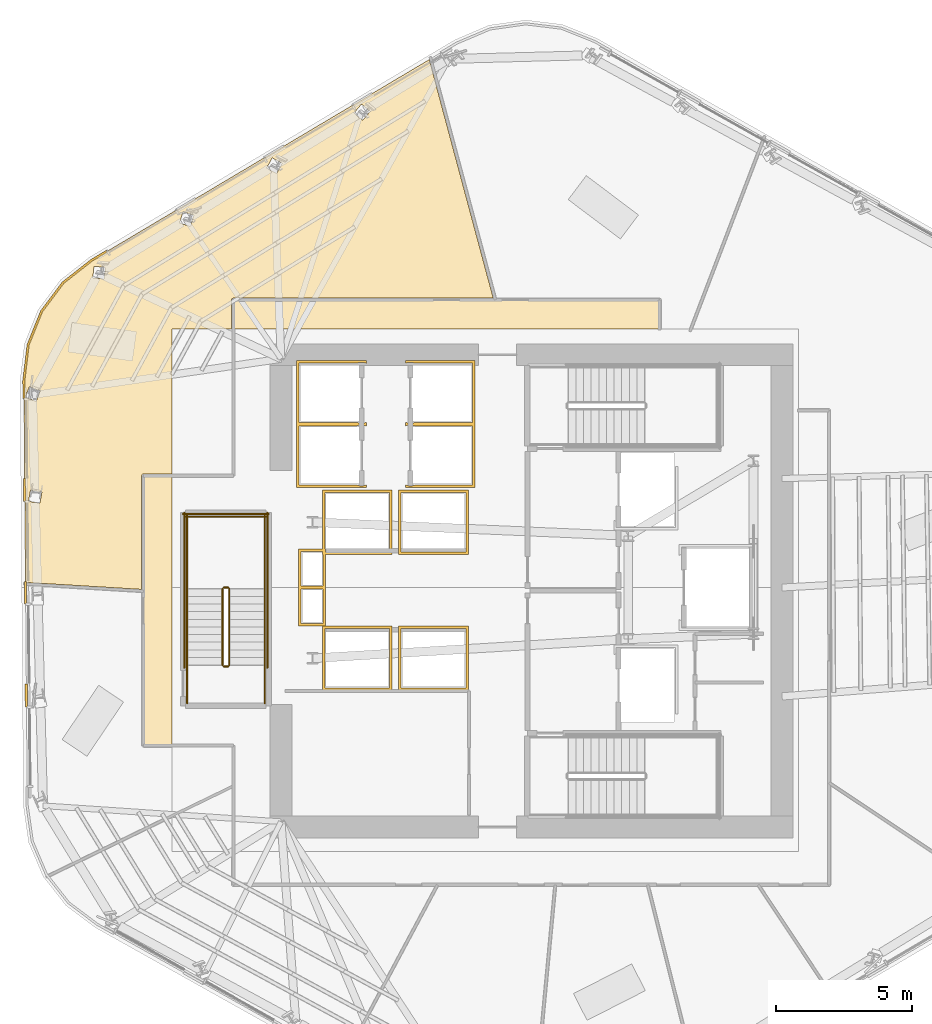
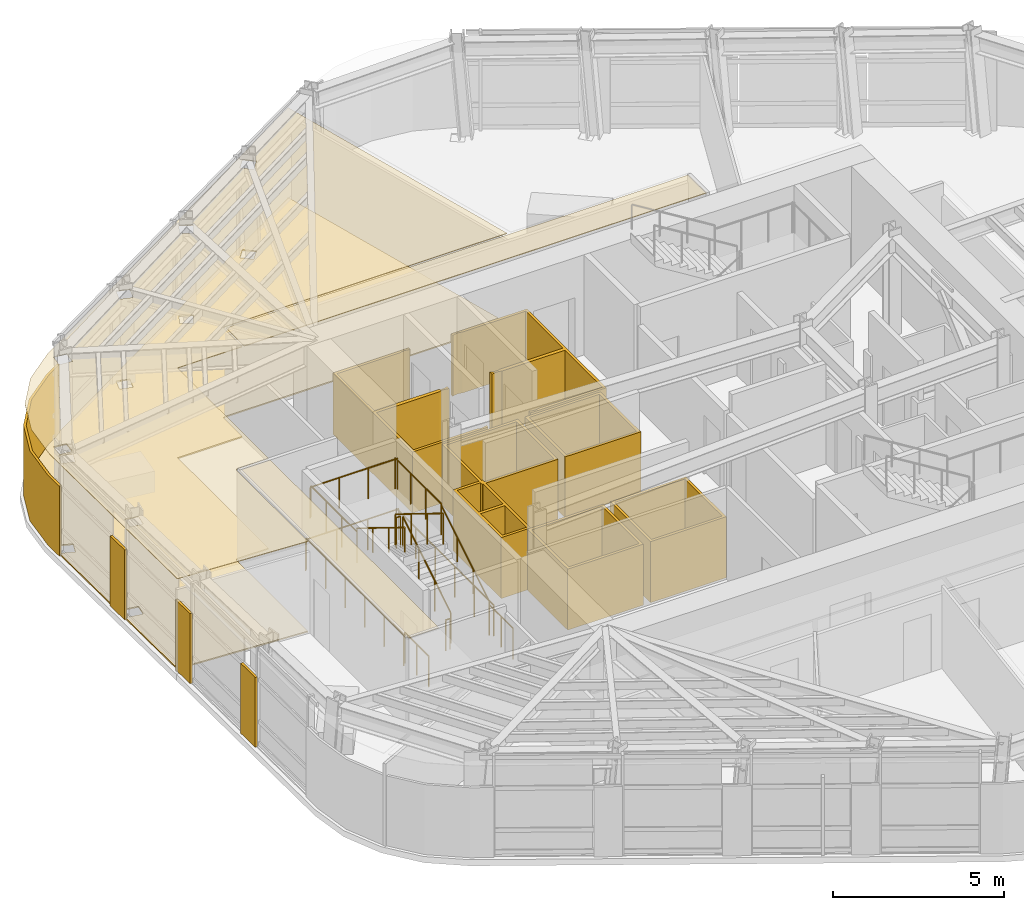
# One storey, part 12 of 16: 14 coverings, 14 railings.
"""IFC4 building model written with IfcOpenShell, lengths in metres."""

import ifcopenshell
import ifcopenshell.guid

model = None  # the IFC model being written
_history = None  # IfcOwnerHistory: only IFC2X3 demands one
_inside = {}  # id of a spatial element -> (the spatial element, [elements in it])
_under = {}  # id of a project, library or spatial element -> (it, [spatial elements below it])
_declared = {}  # id of a project -> (the project, [libraries it declares])
_typed = {}  # id of a type object -> (the type object, [elements of that type])
_made_of = {}  # id of a material, layer set ... -> (it, [elements and type objects made of it])


def new_model(schema):
    """Start an empty IFC model of exactly this schema.

    Asked for "IFC4X3", IfcOpenShell would pick the latest addendum, in which some entities
    have other attributes; the version numbers below select the first issue.
    IFC2X3 requires an IfcOwnerHistory on every rooted entity: one is made here for all.
    """
    global model, _history
    if schema == "IFC4X3":
        model = ifcopenshell.file(schema_version=(4, 3, 0, 0))
    else:
        model = ifcopenshell.file(schema=schema)
    _inside.clear()
    _under.clear()
    _declared.clear()
    _typed.clear()
    _made_of.clear()
    _history = None
    if model.schema == "IFC2X3":
        org = make("IfcOrganization", Name="unknown")
        user = make(
            "IfcPersonAndOrganization",
            ThePerson=make("IfcPerson", FamilyName="unknown"),
            TheOrganization=org,
        )
        app = make(
            "IfcApplication",
            ApplicationDeveloper=org,
            Version="unknown",
            ApplicationFullName="unknown",
            ApplicationIdentifier="unknown",
        )
        _history = make(
            "IfcOwnerHistory",
            OwningUser=user,
            OwningApplication=app,
            ChangeAction="ADDED",
            CreationDate=0,
        )
    return model


def make(cls, **values):
    """One entity of the class cls with the attributes given. An attribute that is None is left unset."""
    return model.create_entity(
        cls, **{name: value for name, value in values.items() if value is not None}
    )


def rooted(cls, **values):
    """An entity with a GlobalId (a new one), such as an element, a storey or a relation."""
    return make(cls, GlobalId=ifcopenshell.guid.new(), OwnerHistory=_history, **values)


def si_unit(unit_type, name, prefix=None):
    """IfcSIUnit, for example si_unit("LENGTHUNIT", "METRE", prefix="MILLI")."""
    return make("IfcSIUnit", UnitType=unit_type, Prefix=prefix, Name=name)


def assignment(units):
    """IfcUnitAssignment: the units of a project."""
    return None if units is None else make("IfcUnitAssignment", Units=units)


def point(xyz):
    """IfcCartesianPoint."""
    return None if xyz is None else make("IfcCartesianPoint", Coordinates=xyz)


def direction(xyz):
    """IfcDirection."""
    return None if xyz is None else make("IfcDirection", DirectionRatios=xyz)


def frame(location, z_axis=None, x_axis=None):
    """IfcAxis2Placement3D, a coordinate frame: its origin and axes. An axis left out is left unset."""
    return make(
        "IfcAxis2Placement3D",
        Location=point(location),
        Axis=direction(z_axis),
        RefDirection=direction(x_axis),
    )


def frame_2d(location, x_axis=None):
    """IfcAxis2Placement2D, a coordinate frame in the plane: its origin and x axis."""
    return make(
        "IfcAxis2Placement2D", Location=point(location), RefDirection=direction(x_axis)
    )


def origin():
    """The frame at (0, 0, 0) with its axes left unset."""
    return frame((0.0, 0.0, 0.0))


def origin_2d():
    """The frame at (0, 0) in the plane with its x axis left unset."""
    return frame_2d((0.0, 0.0))


def place(relative_to, where):
    """IfcLocalPlacement: puts the frame where relative to a parent placement (None: the world)."""
    return make(
        "IfcLocalPlacement", PlacementRelTo=relative_to, RelativePlacement=where
    )


def context(
    kind, dimensions, precision=None, world=None, true_north=None, identifier=None
):
    """IfcGeometricRepresentationContext, for example the 3D "Model" context."""
    return make(
        "IfcGeometricRepresentationContext",
        ContextIdentifier=identifier,
        ContextType=kind,
        CoordinateSpaceDimension=dimensions,
        Precision=precision,
        WorldCoordinateSystem=world,
        TrueNorth=true_north,
    )


def subcontext(parent, identifier, kind, view, scale=None):
    """IfcGeometricRepresentationSubContext, for example "Body" below "Model"."""
    return make(
        "IfcGeometricRepresentationSubContext",
        ContextIdentifier=identifier,
        ContextType=kind,
        ParentContext=parent,
        TargetScale=scale,
        TargetView=view,
    )


def project(units=None, contexts=None):
    """IfcProject with its units and contexts."""
    return rooted(
        "IfcProject",
        Name="project",
        RepresentationContexts=contexts,
        UnitsInContext=assignment(units),
    )


def spatial(cls, under=None, at=None, **own):
    """A site, building, storey or space (cls), placed at a placement, below another one or the project."""
    s = rooted(cls, ObjectPlacement=at, **own)
    if under is not None:
        _under.setdefault(under.id(), (under, []))[1].append(s)
    return s


def polyline(points):
    """IfcPolyline through the points."""
    return make("IfcPolyline", Points=[point(p) for p in points])


def profile(cls, at=None, kind="AREA", **sizes):
    """A parametric profile (cls). Its sizes go by their IFC names, for example OverallWidth=200.0."""
    return make(cls, ProfileType=kind, Position=at, **sizes)


def circle(**sizes):
    """IfcCircleProfileDef."""
    return profile("IfcCircleProfileDef", **sizes)


def outline(outer, holes=None, kind="AREA"):
    """IfcArbitraryClosedProfileDef: a profile drawn as a closed curve; with holes, ...WithVoids."""
    if holes is None:
        return make("IfcArbitraryClosedProfileDef", ProfileType=kind, OuterCurve=outer)
    return make(
        "IfcArbitraryProfileDefWithVoids",
        ProfileType=kind,
        OuterCurve=outer,
        InnerCurves=holes,
    )


def extrude(swept, where, along, depth):
    """IfcExtrudedAreaSolid: the profile swept, set in the frame where, extruded along a direction by depth."""
    return make(
        "IfcExtrudedAreaSolid",
        SweptArea=swept,
        Position=where,
        ExtrudedDirection=direction(along),
        Depth=depth,
    )


def shape(context_of_items, identifier, shape_type, items):
    """IfcShapeRepresentation: the items that make up one representation, for example the "Body"."""
    return make(
        "IfcShapeRepresentation",
        ContextOfItems=context_of_items,
        RepresentationIdentifier=identifier,
        RepresentationType=shape_type,
        Items=items,
    )


def material(Name=None, Category=None):
    """IfcMaterial."""
    return make("IfcMaterial", Name=Name, Category=Category)


def layer(
    of_material, thickness, ventilated=None, Name=None, Category=None, Priority=None
):
    """IfcMaterialLayer: one layer of a wall or slab, of a material (None: an air gap)."""
    return make(
        "IfcMaterialLayer",
        Material=of_material,
        LayerThickness=thickness,
        IsVentilated=ventilated,
        Name=Name,
        Category=Category,
        Priority=Priority,
    )


def layer_set(layers, Name=None):
    """IfcMaterialLayerSet."""
    return make("IfcMaterialLayerSet", MaterialLayers=layers, LayerSetName=Name)


def made_of(thing, what):
    """Note that an element or type object is made of a material, layer set ...; save() writes the relation."""
    if what is not None:
        _made_of.setdefault(what.id(), (what, []))[1].append(thing)
    return thing


def type_object(cls, material=None, **own):
    """A type object (cls), such as IfcWallType, which elements share."""
    return made_of(rooted(cls, **own), material)


def element(
    cls,
    number,
    at=None,
    inside=None,
    cuts=None,
    type_object=None,
    material=None,
    context=None,
    identifier="Body",
    shape_type=None,
    held_by="IfcProductDefinitionShape",
    body=None,
    shapes=None,
    **own,
):
    """One element of the class cls, such as IfcWall. Its Tag is "e" and its number.

    at: its placement. inside: the storey or other place that contains it. cuts: it is an
    opening in that element (IfcRelVoidsElement). A single representation is given by context,
    identifier, shape_type and body (its items); several are given by shapes. held_by: the class
    of the entity that holds the representations. save() writes the other relations.
    """
    e = rooted(cls, Tag="e%d" % number, ObjectPlacement=at, **own)
    if body is not None:
        shapes = [shape(context, identifier, shape_type, body)]
    if shapes is not None:
        e.Representation = make(held_by, Representations=shapes)
    if inside is not None:
        _inside.setdefault(inside.id(), (inside, []))[1].append(e)
    if cuts is not None:
        rooted(
            "IfcRelVoidsElement", RelatingBuildingElement=cuts, RelatedOpeningElement=e
        )
    if type_object is not None:
        _typed.setdefault(type_object.id(), (type_object, []))[1].append(e)
    return made_of(e, material)


def aggregate(whole, parts):
    """IfcRelAggregates: a whole, such as a stair, and the parts it consists of."""
    return rooted("IfcRelAggregates", RelatingObject=whole, RelatedObjects=parts)


def save(model, path):
    """Write the relations noted so far, then the file.

    IfcRelAggregates (storeys below a building ...), IfcRelContainedInSpatialStructure (elements
    in a storey), IfcRelDefinesByType, IfcRelAssociatesMaterial and IfcRelDeclares: one each for
    every whole, place, type object, material and project.
    """
    for whole, parts in _under.values():
        aggregate(whole, parts)
    for where, things in _inside.values():
        rooted(
            "IfcRelContainedInSpatialStructure",
            RelatedElements=things,
            RelatingStructure=where,
        )
    for kind, things in _typed.values():
        rooted("IfcRelDefinesByType", RelatedObjects=things, RelatingType=kind)
    for what, things in _made_of.values():
        rooted("IfcRelAssociatesMaterial", RelatedObjects=things, RelatingMaterial=what)
    for by, libraries in _declared.values():
        rooted("IfcRelDeclares", RelatingContext=by, RelatedDefinitions=libraries)
    model.write(path)


model = new_model("IFC4")

# Units and contexts
model_context = context("Model", 3, precision=1e-05, world=origin(), true_north=direction((0.0, 1.0)))
body_context = subcontext(model_context, "Body", "Model", "MODEL_VIEW")
ifc_project = project(units=[si_unit("LENGTHUNIT", "METRE"), si_unit("AREAUNIT", "SQUARE_METRE"), si_unit("VOLUMEUNIT", "CUBIC_METRE"), si_unit("PLANEANGLEUNIT", "RADIAN"), si_unit("MASSUNIT", "GRAM", prefix="KILO")], contexts=[model_context])

# Site, building, storey
site_placement = place(None, origin())
site = spatial("IfcSite", under=ifc_project, at=site_placement, CompositionType="ELEMENT")
building_placement = place(site_placement, origin())
building = spatial("IfcBuilding", under=site, at=building_placement, Name="Valkerne Bourse Tower", CompositionType="ELEMENT")
storey_placement = place(building_placement, frame((0.0, 0.0, 155.199951171875)))
storey = spatial("IfcBuildingStorey", under=building, at=storey_placement, Name="L39", CompositionType="ELEMENT", Elevation=155.199951171875)

# Coverings
ifc_material_1 = material(Name="Mineral Fiber Acoustic Ceiling Tile", Category="acoustic")
ifc_layer_1 = layer(ifc_material_1, 0.02490234375)
ifc_layer_set_1 = layer_set([ifc_layer_1], Name="Mineral Fiber Acoustic Ceiling Tile")
covering_type_1 = type_object("IfcCoveringType", Name="COV-CEIL-ACT", PredefinedType="CEILING", material=ifc_layer_set_1)
covering_1_placement = place(storey_placement, frame((0.0, 0.0, 3.22998046875)))
element("IfcCovering", 1, at=covering_1_placement, inside=storey, type_object=covering_type_1, Name="L39 Suspended Ceiling 11", PredefinedType="CEILING", context=body_context, shape_type="SweptSolid", body=[
    extrude(outline(polyline([(28.80908203125, 37.13720703125), (29.6015625, 38.192626953125), (30.6474609375, 39.0126953125), (43.04296875, 46.38671875), (45.392333984375, 37.62890625), (35.849365234375, 37.62890625), (35.80419921875, 37.61181640625), (35.787353515625, 37.589111328125), (35.781005859375, 37.560302734375), (35.781005859375, 36.5), (33.60009765625, 36.5), (33.60009765625, 31.1689453125), (32.549560546875, 31.1689453125), (32.52001953125, 31.162109375), (32.49462890625, 31.1416015625), (32.48095703125, 31.1005859375), (32.48095703125, 26.9296875), (28.215576171875, 27.1865234375), (28.1572265625, 34.593505859375), (28.31689453125, 35.9130859375), (28.80908203125, 37.13720703125)]), holes=[polyline([(28.7451171875, 30.096923828125), (28.817626953125, 30.50390625), (28.399658203125, 30.578125), (28.399169921875, 30.57568359375), (28.32666015625, 30.168701171875), (28.74462890625, 30.094482421875), (28.7451171875, 30.096923828125)]), polyline([(28.754638671875, 34.224609375), (28.35791015625, 34.376220703125), (28.35693359375, 34.37353515625), (28.20947265625, 33.98779296875), (28.606201171875, 33.836181640625), (28.607177734375, 33.8388671875), (28.754638671875, 34.224609375)]), polyline([(31.143798828125, 38.755859375), (30.73193359375, 38.798095703125), (30.730224609375, 38.795654296875), (30.6884765625, 38.374267578125), (31.100341796875, 38.33203125), (31.10205078125, 38.33447265625), (31.143798828125, 38.755859375)]), polyline([(34.3955078125, 40.672607421875), (33.998779296875, 40.79150390625), (33.996826171875, 40.78955078125), (33.876220703125, 40.38330078125), (34.27294921875, 40.264404296875), (34.27490234375, 40.266357421875), (34.3955078125, 40.672607421875)]), polyline([(37.4384765625, 42.20654296875), (37.63916015625, 42.57958984375), (37.27490234375, 42.776611328125), (37.272705078125, 42.775390625), (37.072021484375, 42.402099609375), (37.436279296875, 42.205078125), (37.4384765625, 42.20654296875)]), polyline([(40.5986328125, 44.15869140625), (40.87109375, 44.483154296875), (40.5546875, 44.750244140625), (40.552001953125, 44.749267578125), (40.279541015625, 44.4248046875), (40.595947265625, 44.15771484375), (40.5986328125, 44.15869140625)])]), origin(), (0.0, 0.0, 1.0), 0.025146484375),
])
ifc_material_2 = material(Name="Bronze Anodised Aluminium AA 6063-T6", Category="aluminium")
ifc_layer_2 = layer(ifc_material_2, 0.030029296875)
ifc_layer_set_2 = layer_set([ifc_layer_2], Name="Bronze Anodised Aluminium AA 6063-T6")
covering_type_2 = type_object("IfcCoveringType", Name="COV-CEIL-METAL", PredefinedType="CEILING", material=ifc_layer_set_2)
covering_2_placement = place(storey_placement, frame((0.0, 0.0, 3.22998046875)))
element("IfcCovering", 2, at=covering_2_placement, inside=storey, type_object=covering_type_2, Name="L39 Suspended Ceiling 02", PredefinedType="CEILING", context=body_context, shape_type="SweptSolid", body=[
    extrude(outline(polyline([(32.553955078125, 21.2041015625), (32.553955078125, 31.095947265625), (33.60009765625, 31.095947265625), (33.60009765625, 21.2041015625), (32.553955078125, 21.2041015625)])), origin(), (0.0, 0.0, 1.0), 0.025146484375),
])
covering_3_placement = place(storey_placement, frame((0.0, 0.0, 3.22998046875)))
element("IfcCovering", 3, at=covering_3_placement, inside=storey, type_object=covering_type_2, Name="L39 Suspended Ceiling 03", PredefinedType="CEILING", context=body_context, shape_type="SweptSolid", body=[
    extrude(outline(polyline([(35.85400390625, 37.555908203125), (51.49609375, 37.555908203125), (51.49609375, 36.5), (35.85400390625, 36.5), (35.85400390625, 37.555908203125)])), origin(), (0.0, 0.0, 1.0), 0.025146484375),
])
ifc_layer_3 = layer(ifc_material_2, 0.06005859375)
ifc_layer_set_3 = layer_set([ifc_layer_3], Name="Bronze Anodised Aluminium AA 6063-T6")
covering_type_3 = type_object("IfcCoveringType", Name="COV-CRN-ALUM", PredefinedType="CLADDING", material=ifc_layer_set_3)
covering_4_placement = place(storey_placement, origin())
element("IfcCovering", 4, at=covering_4_placement, inside=storey, type_object=covering_type_3, Name="L39 Wind-Shaped Corner Aluminium Cladding 10", PredefinedType="CLADDING", context=body_context, shape_type="SweptSolid", body=[
    extrude(outline(polyline([(28.201171875, 23.4541015625), (28.281005859375, 23.454833984375), (28.28759765625, 22.614990234375), (28.207763671875, 22.614013671875), (28.201171875, 23.4541015625)])), origin(), (0.0, 0.0, 1.0), 2.5),
])
covering_5_placement = place(storey_placement, origin())
element("IfcCovering", 5, at=covering_5_placement, inside=storey, type_object=covering_type_3, Name="L39 Wind-Shaped Corner Aluminium Cladding 11", PredefinedType="CLADDING", context=body_context, shape_type="SweptSolid", body=[
    extrude(outline(polyline([(28.17138671875, 27.224853515625), (28.251220703125, 27.2255859375), (28.258056640625, 26.3857421875), (28.177978515625, 26.385009765625), (28.17138671875, 27.224853515625)])), origin(), (0.0, 0.0, 1.0), 2.5),
])
covering_6_placement = place(storey_placement, origin())
element("IfcCovering", 6, at=covering_6_placement, inside=storey, type_object=covering_type_3, Name="L39 Wind-Shaped Corner Aluminium Cladding 12", PredefinedType="CLADDING", context=body_context, shape_type="SweptSolid", body=[
    extrude(outline(polyline([(28.1416015625, 30.995849609375), (28.2216796875, 30.99658203125), (28.228271484375, 30.15673828125), (28.148193359375, 30.156005859375), (28.1416015625, 30.995849609375)])), origin(), (0.0, 0.0, 1.0), 2.5),
])
covering_7_placement = place(storey_placement, origin())
element("IfcCovering", 7, at=covering_7_placement, inside=storey, type_object=covering_type_3, Name="L39 Wind-Shaped Corner Aluminium Cladding 13", PredefinedType="CLADDING", context=body_context, shape_type="SweptSolid", body=[
    extrude(outline(polyline([(28.11328125, 34.595947265625), (28.27392578125, 35.924072265625), (28.7705078125, 37.1591796875), (29.56982421875, 38.2236328125), (30.62255859375, 39.049072265625), (31.197509765625, 39.39111328125), (31.23828125, 39.322509765625), (30.66796875, 38.98291015625), (29.62744140625, 38.167236328125), (28.8408203125, 37.119384765625), (28.35205078125, 35.90380859375), (28.193359375, 34.59130859375), (28.198486328125, 33.927490234375), (28.118408203125, 33.9267578125), (28.11328125, 34.595947265625)])), origin(), (0.0, 0.0, 1.0), 2.5),
])
ifc_material_3 = material(Name="Galvanised Painted Steel", Category="steel")
ifc_layer_4 = layer(ifc_material_3, 0.044921875)
ifc_layer_set_4 = layer_set([ifc_layer_4], Name="Galvanised Painted Steel")
covering_type_4 = type_object("IfcCoveringType", Name="COV-FLR-RAF", PredefinedType="FLOORING", material=ifc_layer_set_4)
covering_8_placement = place(storey_placement, origin())
element("IfcCovering", 8, at=covering_8_placement, inside=storey, type_object=covering_type_4, Name="L39 Floor Finish 11", PredefinedType="FLOORING", context=body_context, shape_type="SweptSolid", body=[
    extrude(outline(polyline([(28.80908203125, 37.13720703125), (29.6015625, 38.192626953125), (30.6474609375, 39.0126953125), (43.04296875, 46.38671875), (45.392333984375, 37.62890625), (35.849365234375, 37.62890625), (35.80419921875, 37.61181640625), (35.787353515625, 37.589111328125), (35.781005859375, 37.560302734375), (35.781005859375, 36.5), (33.60009765625, 36.5), (33.60009765625, 31.1689453125), (32.549560546875, 31.1689453125), (32.52001953125, 31.162109375), (32.49462890625, 31.1416015625), (32.48095703125, 31.1005859375), (32.48095703125, 26.9296875), (28.215576171875, 27.1865234375), (28.1572265625, 34.593505859375), (28.31689453125, 35.9130859375), (28.80908203125, 37.13720703125)]), holes=[polyline([(28.7451171875, 30.096923828125), (28.817626953125, 30.50390625), (28.399658203125, 30.578125), (28.399169921875, 30.57568359375), (28.32666015625, 30.168701171875), (28.74462890625, 30.094482421875), (28.7451171875, 30.096923828125)]), polyline([(28.754638671875, 34.224609375), (28.35791015625, 34.376220703125), (28.35693359375, 34.37353515625), (28.20947265625, 33.98779296875), (28.606201171875, 33.836181640625), (28.607177734375, 33.8388671875), (28.754638671875, 34.224609375)]), polyline([(31.143798828125, 38.755859375), (30.73193359375, 38.798095703125), (30.730224609375, 38.795654296875), (30.6884765625, 38.374267578125), (31.100341796875, 38.33203125), (31.10205078125, 38.33447265625), (31.143798828125, 38.755859375)]), polyline([(34.3955078125, 40.672607421875), (33.998779296875, 40.79150390625), (33.996826171875, 40.78955078125), (33.876220703125, 40.38330078125), (34.27294921875, 40.264404296875), (34.27490234375, 40.266357421875), (34.3955078125, 40.672607421875)]), polyline([(37.4384765625, 42.20654296875), (37.63916015625, 42.57958984375), (37.27490234375, 42.776611328125), (37.272705078125, 42.775390625), (37.072021484375, 42.402099609375), (37.436279296875, 42.205078125), (37.4384765625, 42.20654296875)]), polyline([(40.5986328125, 44.15869140625), (40.87109375, 44.483154296875), (40.5546875, 44.750244140625), (40.552001953125, 44.749267578125), (40.279541015625, 44.4248046875), (40.595947265625, 44.15771484375), (40.5986328125, 44.15869140625)])]), origin(), (0.0, 0.0, 1.0), 0.045166015625),
])
ifc_material_4 = material(Name="Gypsum Shaftwall Liner Board", Category="gypsum")
ifc_layer_5 = layer(ifc_material_4, 0.080078125)
ifc_layer_set_5 = layer_set([ifc_layer_5], Name="Gypsum Shaftwall Liner Board")
covering_type_5 = type_object("IfcCoveringType", Name="COV-SHF-CLAD", PredefinedType="CLADDING", material=ifc_layer_set_5)
covering_9_placement = place(storey_placement, origin())
element("IfcCovering", 9, at=covering_9_placement, inside=storey, type_object=covering_type_5, Name="L39 Hoistway & Riser Shaftwall Liner 01", PredefinedType="CLADDING", context=body_context, shape_type="SweptSolid", body=[
    extrude(outline(polyline([(41.679931640625, 25.580078125), (41.679931640625, 23.219970703125), (39.1201171875, 23.219970703125), (39.1201171875, 25.580078125), (41.679931640625, 25.580078125)]), holes=[polyline([(41.590087890625, 25.489990234375), (39.2099609375, 25.489990234375), (39.2099609375, 23.31005859375), (41.590087890625, 23.31005859375), (41.590087890625, 25.489990234375)])]), origin(), (0.0, 0.0, 1.0), 2.179931640625),
])
covering_10_placement = place(storey_placement, origin())
element("IfcCovering", 10, at=covering_10_placement, inside=storey, type_object=covering_type_5, Name="L39 Hoistway & Riser Shaftwall Liner 02", PredefinedType="CLADDING", context=body_context, shape_type="SweptSolid", body=[
    extrude(outline(polyline([(44.47998046875, 23.219970703125), (41.919921875, 23.219970703125), (41.919921875, 25.580078125), (44.47998046875, 25.580078125), (44.47998046875, 23.219970703125)]), holes=[polyline([(42.010009765625, 25.489990234375), (42.010009765625, 23.31005859375), (44.389892578125, 23.31005859375), (44.389892578125, 25.489990234375), (42.010009765625, 25.489990234375)])]), origin(), (0.0, 0.0, 1.0), 2.179931640625),
])
covering_11_placement = place(storey_placement, origin())
element("IfcCovering", 11, at=covering_11_placement, inside=storey, type_object=covering_type_5, Name="L39 Hoistway & Riser Shaftwall Liner 03", PredefinedType="CLADDING", context=body_context, shape_type="SweptSolid", body=[
    extrude(outline(polyline([(38.239990234375, 28.409912109375), (39.1201171875, 28.409912109375), (39.1201171875, 30.580078125), (41.679931640625, 30.580078125), (41.679931640625, 28.219970703125), (39.239990234375, 28.219970703125), (39.239990234375, 27.0400390625), (39.239990234375, 26.9599609375), (39.239990234375, 25.590087890625), (38.239990234375, 25.590087890625), (38.239990234375, 26.9599609375), (38.239990234375, 27.0400390625), (38.239990234375, 28.409912109375)]), holes=[polyline([(38.330078125, 26.949951171875), (38.330078125, 25.679931640625), (39.14990234375, 25.679931640625), (39.14990234375, 26.949951171875), (38.330078125, 26.949951171875)]), polyline([(39.2099609375, 30.489990234375), (39.2099609375, 28.409912109375), (39.239990234375, 28.409912109375), (39.239990234375, 28.31005859375), (41.590087890625, 28.31005859375), (41.590087890625, 30.489990234375), (39.2099609375, 30.489990234375)]), polyline([(38.330078125, 27.050048828125), (39.14990234375, 27.050048828125), (39.14990234375, 28.219970703125), (39.1201171875, 28.219970703125), (39.1201171875, 28.320068359375), (38.330078125, 28.320068359375), (38.330078125, 27.050048828125)])]), origin(), (0.0, 0.0, 1.0), 2.179931640625),
])
covering_12_placement = place(storey_placement, origin())
element("IfcCovering", 12, at=covering_12_placement, inside=storey, type_object=covering_type_5, Name="L39 Hoistway & Riser Shaftwall Liner 04", PredefinedType="CLADDING", context=body_context, shape_type="SweptSolid", body=[
    extrude(outline(polyline([(38.169921875, 35.330078125), (40.72998046875, 35.330078125), (40.72998046875, 35.232177734375), (40.72216796875, 35.235595703125), (40.6806640625, 35.25048828125), (40.6376953125, 35.261474609375), (40.593994140625, 35.267822265625), (40.550048828125, 35.27001953125), (40.505859375, 35.267822265625), (40.462158203125, 35.261474609375), (40.41943359375, 35.25048828125), (40.3896484375, 35.239990234375), (38.260009765625, 35.239990234375), (38.260009765625, 33.06005859375), (40.3896484375, 33.06005859375), (40.41943359375, 33.04931640625), (40.462158203125, 33.03857421875), (40.505859375, 33.0322265625), (40.550048828125, 33.030029296875), (40.593994140625, 33.0322265625), (40.6376953125, 33.03857421875), (40.6806640625, 33.04931640625), (40.72216796875, 33.064208984375), (40.72998046875, 33.06787109375), (40.72998046875, 33.030029296875), (40.72998046875, 32.969970703125), (40.72998046875, 32.93212890625), (40.72216796875, 32.935791015625), (40.6806640625, 32.95068359375), (40.6376953125, 32.96142578125), (40.593994140625, 32.9677734375), (40.550048828125, 32.969970703125), (40.505859375, 32.9677734375), (40.462158203125, 32.96142578125), (40.41943359375, 32.95068359375), (40.3896484375, 32.93994140625), (38.260009765625, 32.93994140625), (38.260009765625, 30.760009765625), (40.3896484375, 30.760009765625), (40.41943359375, 30.74951171875), (40.462158203125, 30.738525390625), (40.505859375, 30.732177734375), (40.550048828125, 30.72998046875), (40.593994140625, 30.732177734375), (40.6376953125, 30.738525390625), (40.6806640625, 30.74951171875), (40.72216796875, 30.764404296875), (40.72998046875, 30.767822265625), (40.72998046875, 30.669921875), (38.169921875, 30.669921875), (38.169921875, 32.969970703125), (38.169921875, 33.030029296875), (38.169921875, 35.330078125)])), origin(), (0.0, 0.0, 1.0), 2.179931640625),
])
covering_13_placement = place(storey_placement, origin())
element("IfcCovering", 13, at=covering_13_placement, inside=storey, type_object=covering_type_5, Name="L39 Hoistway & Riser Shaftwall Liner 07", PredefinedType="CLADDING", context=body_context, shape_type="SweptSolid", body=[
    extrude(outline(polyline([(44.47998046875, 28.219970703125), (41.919921875, 28.219970703125), (41.919921875, 30.580078125), (44.47998046875, 30.580078125), (44.47998046875, 28.219970703125)]), holes=[polyline([(42.010009765625, 30.489990234375), (42.010009765625, 28.31005859375), (44.389892578125, 28.31005859375), (44.389892578125, 30.489990234375), (42.010009765625, 30.489990234375)])]), origin(), (0.0, 0.0, 1.0), 2.179931640625),
])
covering_14_placement = place(storey_placement, origin())
element("IfcCovering", 14, at=covering_14_placement, inside=storey, type_object=covering_type_5, Name="L39 Hoistway & Riser Shaftwall Liner 09", PredefinedType="CLADDING", context=body_context, shape_type="SweptSolid", body=[
    extrude(outline(polyline([(42.169921875, 33.06787109375), (42.177734375, 33.064208984375), (42.219482421875, 33.04931640625), (42.26220703125, 33.03857421875), (42.305908203125, 33.0322265625), (42.35009765625, 33.030029296875), (42.39404296875, 33.0322265625), (42.437744140625, 33.03857421875), (42.480712890625, 33.04931640625), (42.51025390625, 33.06005859375), (44.639892578125, 33.06005859375), (44.639892578125, 35.239990234375), (42.51025390625, 35.239990234375), (42.480712890625, 35.25048828125), (42.437744140625, 35.261474609375), (42.39404296875, 35.267822265625), (42.35009765625, 35.27001953125), (42.305908203125, 35.267822265625), (42.26220703125, 35.261474609375), (42.219482421875, 35.25048828125), (42.177734375, 35.235595703125), (42.169921875, 35.232177734375), (42.169921875, 35.330078125), (44.72998046875, 35.330078125), (44.72998046875, 33.030029296875), (44.72998046875, 32.969970703125), (44.72998046875, 30.669921875), (42.169921875, 30.669921875), (42.169921875, 30.767822265625), (42.177734375, 30.764404296875), (42.219482421875, 30.74951171875), (42.26220703125, 30.738525390625), (42.305908203125, 30.732177734375), (42.35009765625, 30.72998046875), (42.39404296875, 30.732177734375), (42.437744140625, 30.738525390625), (42.480712890625, 30.74951171875), (42.51025390625, 30.760009765625), (44.639892578125, 30.760009765625), (44.639892578125, 32.93994140625), (42.51025390625, 32.93994140625), (42.480712890625, 32.95068359375), (42.437744140625, 32.96142578125), (42.39404296875, 32.9677734375), (42.35009765625, 32.969970703125), (42.305908203125, 32.9677734375), (42.26220703125, 32.96142578125), (42.219482421875, 32.95068359375), (42.177734375, 32.935791015625), (42.169921875, 32.93212890625), (42.169921875, 32.969970703125), (42.169921875, 33.030029296875), (42.169921875, 33.06787109375)])), origin(), (0.0, 0.0, 1.0), 2.179931640625),
])

# Railings
railing_type_1 = type_object("IfcRailingType", Name="RLG-ST-GUARD-1120", PredefinedType="GUARDRAIL", material=ifc_material_3)
railing_1_placement = place(storey_placement, frame((35.699951171875, 24.14990234375, 0.1728515625)))
element("IfcRailing", 15, at=railing_1_placement, inside=storey, type_object=railing_type_1, Name="L39 ST-3 stair guard 1", PredefinedType="GUARDRAIL", context=body_context, shape_type="SweptSolid", body=[
    extrude(circle(Radius=0.02392578125, at=origin_2d()), frame((0.0, 0.0, 1.09619140625), z_axis=(0.0, 0.851089632645, 0.525020415988), x_axis=(-1.0, 0.0, 0.0)), (0.0, 0.0, 1.0), 3.2900390625),
    extrude(circle(Radius=0.02099609375, at=origin_2d()), origin(), (0.0, 0.0, 1.0), 1.072021484375),
    extrude(circle(Radius=0.02099609375, at=origin_2d()), frame((0.0, 0.933349609375, 0.57568359375)), (0.0, 0.0, 1.0), 1.072021484375),
    extrude(circle(Radius=0.02099609375, at=origin_2d()), frame((0.0, 1.86669921875, 1.151611328125)), (0.0, 0.0, 1.0), 1.072021484375),
    extrude(circle(Radius=0.02099609375, at=origin_2d()), frame((0.0, 2.800048828125, 1.727294921875)), (0.0, 0.0, 1.0), 1.072021484375),
])
railing_2_placement = place(storey_placement, frame((35.64990234375, 27.0, 1.900146484375)))
element("IfcRailing", 16, at=railing_2_placement, inside=storey, type_object=railing_type_1, Name="L39 ST-3 stair guard 2", PredefinedType="GUARDRAIL", context=body_context, shape_type="SweptSolid", body=[
    extrude(circle(Radius=0.02392578125, at=origin_2d()), frame((0.0, 0.0, 1.09619140625), z_axis=(-1.0, 0.0, 0.0), x_axis=(0.0, -1.0, 0.0)), (0.0, 0.0, 1.0), 0.14990234375),
    extrude(circle(Radius=0.02099609375, at=origin_2d()), origin(), (0.0, 0.0, 1.0), 1.072021484375),
    extrude(circle(Radius=0.02099609375, at=origin_2d()), frame((-0.14990234375, 0.0, 0.0)), (0.0, 0.0, 1.0), 1.072021484375),
])
for number, where, name in (
    (17, (37.0, 26.949951171875, 1.900146484375), "L39 ST-3 stair guard 3"),
    (18, (34.14990234375, 26.949951171875, 1.900146484375), "L39 ST-3 stair guard 4"),
):
    element("IfcRailing", number, at=place(storey_placement, frame(where)), inside=storey, type_object=railing_type_1, Name=name, PredefinedType="GUARDRAIL", context=body_context, shape_type="SweptSolid", body=[
        extrude(circle(Radius=0.02392578125, at=origin_2d()), frame((0.0, 0.0, 1.09619140625), z_axis=(0.0, 1.0, 0.0), x_axis=(-1.0, 0.0, 0.0)), (0.0, 0.0, 1.0), 2.699951171875),
        extrude(circle(Radius=0.02099609375, at=origin_2d()), origin(), (0.0, 0.0, 1.0), 1.072021484375),
        extrude(circle(Radius=0.02099609375, at=origin_2d()), frame((0.0, 0.89990234375, 0.0)), (0.0, 0.0, 1.0), 1.072021484375),
        extrude(circle(Radius=0.02099609375, at=origin_2d()), frame((0.0, 1.800048828125, 0.0)), (0.0, 0.0, 1.0), 1.072021484375),
        extrude(circle(Radius=0.02099609375, at=origin_2d()), frame((0.0, 2.699951171875, 0.0)), (0.0, 0.0, 1.0), 1.072021484375),
    ])
railing_3_placement = place(storey_placement, frame((37.050048828125, 29.60009765625, 1.900146484375)))
element("IfcRailing", 19, at=railing_3_placement, inside=storey, type_object=railing_type_1, Name="L39 ST-3 stair guard 5", PredefinedType="GUARDRAIL", context=body_context, shape_type="SweptSolid", body=[
    extrude(circle(Radius=0.02392578125, at=origin_2d()), frame((0.0, 0.0, 1.09619140625), z_axis=(-1.0, 0.0, 0.0), x_axis=(0.0, -1.0, 0.0)), (0.0, 0.0, 1.0), 2.949951171875),
    extrude(circle(Radius=0.02099609375, at=origin_2d()), origin(), (0.0, 0.0, 1.0), 1.072021484375),
    extrude(circle(Radius=0.02099609375, at=origin_2d()), frame((-0.9833984375, 0.0, 0.0)), (0.0, 0.0, 1.0), 1.072021484375),
    extrude(circle(Radius=0.02099609375, at=origin_2d()), frame((-1.966552734375, 0.0, 0.0)), (0.0, 0.0, 1.0), 1.072021484375),
    extrude(circle(Radius=0.02099609375, at=origin_2d()), frame((-2.949951171875, 0.0, 0.0)), (0.0, 0.0, 1.0), 1.072021484375),
])
railing_4_placement = place(storey_placement, frame((35.449951171875, 26.949951171875, 2.07275390625)))
element("IfcRailing", 20, at=railing_4_placement, inside=storey, type_object=railing_type_1, Name="L39 ST-3 stair guard 6", PredefinedType="GUARDRAIL", context=body_context, shape_type="SweptSolid", body=[
    extrude(circle(Radius=0.02392578125, at=origin_2d()), frame((0.0, 0.0, 1.09619140625), z_axis=(0.0, -0.851089632645, 0.525020415988), x_axis=(1.0, 0.0, 0.0)), (0.0, 0.0, 1.0), 3.2900390625),
    extrude(circle(Radius=0.02099609375, at=origin_2d()), origin(), (0.0, 0.0, 1.0), 1.072021484375),
    extrude(circle(Radius=0.02099609375, at=origin_2d()), frame((0.0, -0.933349609375, 0.57568359375)), (0.0, 0.0, 1.0), 1.072021484375),
    extrude(circle(Radius=0.02099609375, at=origin_2d()), frame((0.0, -1.86669921875, 1.151611328125)), (0.0, 0.0, 1.0), 1.072021484375),
    extrude(circle(Radius=0.02099609375, at=origin_2d()), frame((0.0, -2.800048828125, 1.727294921875)), (0.0, 0.0, 1.0), 1.072021484375),
])
railing_5_placement = place(storey_placement, frame((35.64990234375, 24.10009765625, 0.0)))
element("IfcRailing", 21, at=railing_5_placement, inside=storey, type_object=railing_type_1, Name="L39 ST-3 stair guard 7", PredefinedType="GUARDRAIL", context=body_context, shape_type="SweptSolid", body=[
    extrude(circle(Radius=0.02392578125, at=origin_2d()), frame((0.0, 0.0, 1.09619140625), z_axis=(-1.0, 0.0, 0.0), x_axis=(0.0, -1.0, 0.0)), (0.0, 0.0, 1.0), 0.14990234375),
    extrude(circle(Radius=0.02099609375, at=origin_2d()), origin(), (0.0, 0.0, 1.0), 1.072021484375),
    extrude(circle(Radius=0.02099609375, at=origin_2d()), frame((-0.14990234375, 0.0, 0.0)), (0.0, 0.0, 1.0), 1.072021484375),
])
for number, where, name in (
    (22, (37.0, 22.75, 0.0), "L39 ST-3 stair guard 8"),
    (23, (34.14990234375, 22.75, 0.0), "L39 ST-3 stair guard 9"),
):
    element("IfcRailing", number, at=place(storey_placement, frame(where)), inside=storey, type_object=railing_type_1, Name=name, PredefinedType="GUARDRAIL", context=body_context, shape_type="SweptSolid", body=[
        extrude(circle(Radius=0.02392578125, at=origin_2d()), frame((0.0, 0.0, 1.09619140625), z_axis=(0.0, 1.0, 0.0), x_axis=(-1.0, 0.0, 0.0)), (0.0, 0.0, 1.0), 1.39990234375),
        extrude(circle(Radius=0.02099609375, at=origin_2d()), origin(), (0.0, 0.0, 1.0), 1.072021484375),
        extrude(circle(Radius=0.02099609375, at=origin_2d()), frame((0.0, 0.699951171875, 0.0)), (0.0, 0.0, 1.0), 1.072021484375),
        extrude(circle(Radius=0.02099609375, at=origin_2d()), frame((0.0, 1.39990234375, 0.0)), (0.0, 0.0, 1.0), 1.072021484375),
    ])
for number, where, name in (
    (24, (37.10009765625, 24.050048828125, 0.0), "L39 ST-3 stair guard 10"),
    (25, (34.050048828125, 24.050048828125, 0.0), "L39 ST-3 stair guard 11"),
):
    element("IfcRailing", number, at=place(storey_placement, frame(where)), inside=storey, type_object=railing_type_1, Name=name, PredefinedType="GUARDRAIL", context=body_context, shape_type="SweptSolid", body=[
        extrude(circle(Radius=0.02392578125, at=origin_2d()), frame((0.0, 0.0, 1.09619140625), z_axis=(0.0, 1.0, 0.0), x_axis=(-1.0, 0.0, 0.0)), (0.0, 0.0, 1.0), 5.699951171875),
        extrude(circle(Radius=0.02099609375, at=origin_2d()), origin(), (0.0, 0.0, 1.0), 1.072021484375),
        extrude(circle(Radius=0.02099609375, at=origin_2d()), frame((0.0, 1.139892578125, 0.0)), (0.0, 0.0, 1.0), 1.072021484375),
        extrude(circle(Radius=0.02099609375, at=origin_2d()), frame((0.0, 2.280029296875, 0.0)), (0.0, 0.0, 1.0), 1.072021484375),
        extrude(circle(Radius=0.02099609375, at=origin_2d()), frame((0.0, 3.419921875, 0.0)), (0.0, 0.0, 1.0), 1.072021484375),
        extrude(circle(Radius=0.02099609375, at=origin_2d()), frame((0.0, 4.56005859375, 0.0)), (0.0, 0.0, 1.0), 1.072021484375),
        extrude(circle(Radius=0.02099609375, at=origin_2d()), frame((0.0, 5.699951171875, 0.0)), (0.0, 0.0, 1.0), 1.072021484375),
    ])
railing_6_placement = place(storey_placement, frame((37.14990234375, 29.699951171875, 0.0)))
element("IfcRailing", 26, at=railing_6_placement, inside=storey, type_object=railing_type_1, Name="L39 ST-3 stair guard 12", PredefinedType="GUARDRAIL", context=body_context, shape_type="SweptSolid", body=[
    extrude(circle(Radius=0.02392578125, at=origin_2d()), frame((0.0, 0.0, 1.09619140625), z_axis=(-1.0, 0.0, 0.0), x_axis=(0.0, -1.0, 0.0)), (0.0, 0.0, 1.0), 3.14990234375),
    extrude(circle(Radius=0.02099609375, at=origin_2d()), origin(), (0.0, 0.0, 1.0), 1.072021484375),
    extrude(circle(Radius=0.02099609375, at=origin_2d()), frame((-1.050048828125, 0.0, 0.0)), (0.0, 0.0, 1.0), 1.072021484375),
    extrude(circle(Radius=0.02099609375, at=origin_2d()), frame((-2.099853515625, 0.0, 0.0)), (0.0, 0.0, 1.0), 1.072021484375),
    extrude(circle(Radius=0.02099609375, at=origin_2d()), frame((-3.14990234375, 0.0, 0.0)), (0.0, 0.0, 1.0), 1.072021484375),
])
ifc_material_5 = material(Name="Stainless Steel AISI 316", Category="steel")
railing_type_2 = type_object("IfcRailingType", Name="RLG-ST-HANDRAIL-900", PredefinedType="HANDRAIL", material=ifc_material_5)
railing_7_placement = place(storey_placement, frame((37.0, 24.14990234375, 0.345458984375)))
element("IfcRailing", 27, at=railing_7_placement, inside=storey, type_object=railing_type_2, Name="L39 ST-3 stair handrail 1", PredefinedType="HANDRAIL", context=body_context, shape_type="SweptSolid", body=[
    extrude(circle(Radius=0.02392578125, at=origin_2d()), frame((0.0, 0.0, 0.8759765625), z_axis=(0.0, 0.851089632645, 0.525020415988), x_axis=(-1.0, 0.0, 0.0)), (0.0, 0.0, 1.0), 3.2900390625),
    extrude(circle(Radius=0.02099609375, at=origin_2d()), origin(), (0.0, 0.0, 1.0), 0.851806640625),
    extrude(circle(Radius=0.02099609375, at=origin_2d()), frame((0.0, 0.933349609375, 0.57568359375)), (0.0, 0.0, 1.0), 0.851806640625),
    extrude(circle(Radius=0.02099609375, at=origin_2d()), frame((0.0, 1.86669921875, 1.151611328125)), (0.0, 0.0, 1.0), 0.851806640625),
    extrude(circle(Radius=0.02099609375, at=origin_2d()), frame((0.0, 2.800048828125, 1.727294921875)), (0.0, 0.0, 1.0), 0.851806640625),
])
railing_8_placement = place(storey_placement, frame((34.14990234375, 26.949951171875, 2.24560546875)))
element("IfcRailing", 28, at=railing_8_placement, inside=storey, type_object=railing_type_2, Name="L39 ST-3 stair handrail 2", PredefinedType="HANDRAIL", context=body_context, shape_type="SweptSolid", body=[
    extrude(circle(Radius=0.02392578125, at=origin_2d()), frame((0.0, 0.0, 0.8759765625), z_axis=(0.0, -0.851122791225, 0.524966660138), x_axis=(1.0, 0.0, 0.0)), (0.0, 0.0, 1.0), 3.289794921875),
    extrude(circle(Radius=0.02099609375, at=origin_2d()), origin(), (0.0, 0.0, 1.0), 0.851806640625),
    extrude(circle(Radius=0.02099609375, at=origin_2d()), frame((0.0, -0.933349609375, 0.57568359375)), (0.0, 0.0, 1.0), 0.851806640625),
    extrude(circle(Radius=0.02099609375, at=origin_2d()), frame((0.0, -1.86669921875, 1.1513671875)), (0.0, 0.0, 1.0), 0.851806640625),
    extrude(circle(Radius=0.02099609375, at=origin_2d()), frame((0.0, -2.800048828125, 1.72705078125)), (0.0, 0.0, 1.0), 0.851806640625),
])

save(model, "model.ifc")
